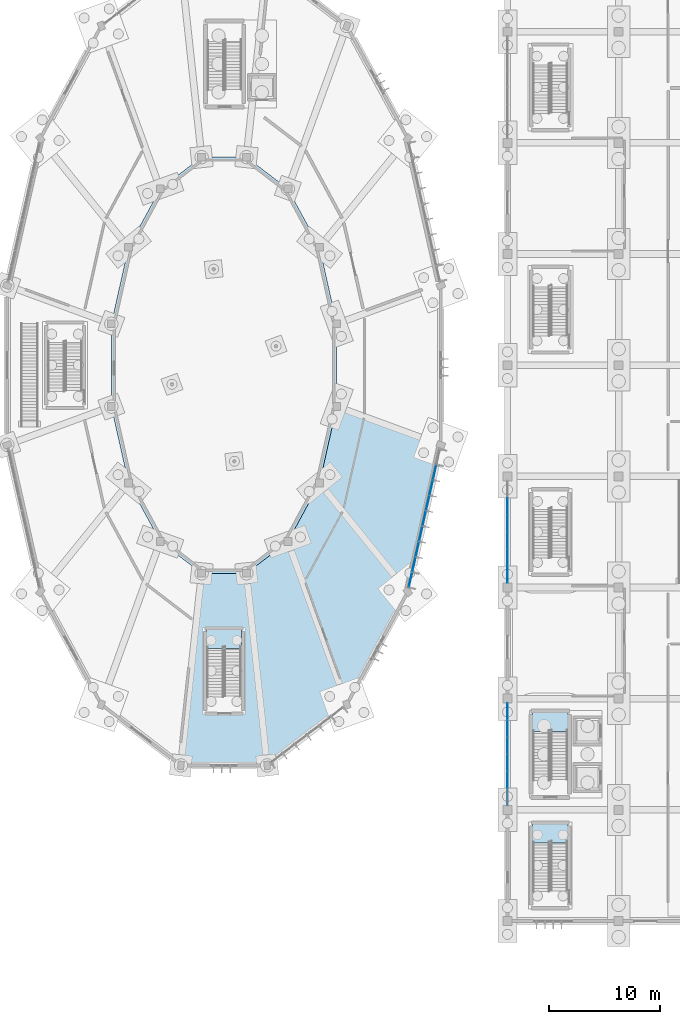
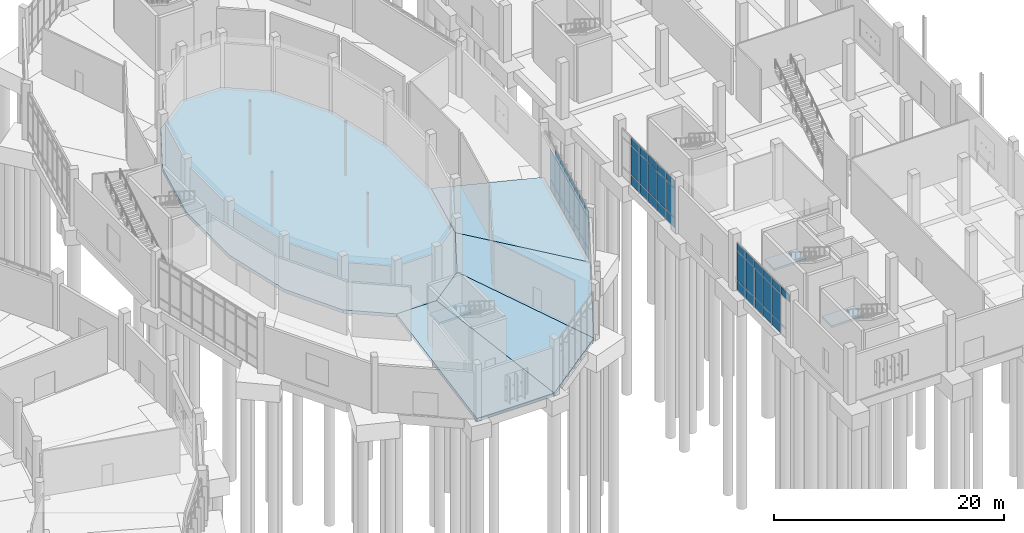
# One storey, part 65 of 140: 54 plates, 8 slabs, 6 elements without a shape of their own.
"""IFC4 building model written with IfcOpenShell, lengths in metres."""

from ifc_helpers import new_model, si_unit, direction, frame, origin, origin_2d, place, context, subcontext, project, spatial, polyline, rectangle, outline, extrude, material, layer, layer_set, type_object, element, aggregate, save


model = new_model("IFC4")

# Units and contexts
model_context = context("Model", 3, precision=1e-05, world=origin(), true_north=direction((0.0, 1.0)))
body_context = subcontext(model_context, "Body", "Model", "MODEL_VIEW")
ifc_project = project(units=[si_unit("LENGTHUNIT", "METRE"), si_unit("AREAUNIT", "SQUARE_METRE"), si_unit("VOLUMEUNIT", "CUBIC_METRE"), si_unit("PLANEANGLEUNIT", "RADIAN"), si_unit("MASSUNIT", "GRAM", prefix="KILO")], contexts=[model_context])

# Site, building, storey
site_placement = place(None, origin())
site = spatial("IfcSite", under=ifc_project, at=site_placement, CompositionType="ELEMENT")
building_placement = place(site_placement, origin())
building = spatial("IfcBuilding", under=site, at=building_placement, Name="Corvandel Quay Wholesale Market", CompositionType="ELEMENT")
storey_placement = place(building_placement, origin())
storey = spatial("IfcBuildingStorey", under=building, at=storey_placement, Name="L00", CompositionType="ELEMENT", Elevation=0.0)

# Curtain wall, plates
ifc_material_1 = material(Name="Bronze anodised aluminium and low-E insulated glazing", Category="aluminium")
ifc_layer_1 = layer(ifc_material_1, 0.162109375)
ifc_layer_set_1 = layer_set([ifc_layer_1], Name="Bronze anodised aluminium and low-E insulated glazing")
curtain_wall_type_1 = type_object("IfcCurtainWallType", Name="Stick Curtain Wall System CW16 H4440", PredefinedType="NOTDEFINED", material=ifc_layer_set_1)
curtain_wall_1_placement = place(storey_placement, origin())
curtain_wall_1 = element("IfcCurtainWall", 1, at=curtain_wall_1_placement, inside=storey, type_object=curtain_wall_type_1, Name="Curtain Wall CW-0141", PredefinedType="NOTDEFINED")
ifc_material_2 = material(Name="Solar-control low-E insulated glazing", Category="glass")
ifc_layer_2 = layer(ifc_material_2, 0.0400390625)
ifc_layer_set_2 = layer_set([ifc_layer_2], Name="Solar-control low-E insulated glazing")
plate_type_1 = type_object("IfcPlateType", Name="Ceramic Fritted Spandrel Panel PN03 40mm", PredefinedType="CURTAIN_PANEL", material=ifc_layer_set_2)
plate_1_placement = place(storey_placement, frame((211.273681640625, 40.68994140625, 4.33251953125), z_axis=(0.0, 0.0, 1.0), x_axis=(0.218994806262, 0.975726024471, 0.0)))
plate_1 = element("IfcPlate", 2, at=plate_1_placement, type_object=plate_type_1, Name="Glazing Panel CW-0141-P00-2", PredefinedType="CURTAIN_PANEL", context=body_context, shape_type="SweptSolid", body=[
    extrude(rectangle(XDim=1.352783203125, YDim=0.0400390625, at=origin_2d()), origin(), (0.0, 0.0, 1.0), 0.784912109375),
])
plate_2_placement = place(storey_placement, frame((211.584228515625, 42.073486328125, 4.33251953125), z_axis=(0.0, 0.0, 1.0), x_axis=(0.218994806262, 0.975726024471, 0.0)))
plate_2 = element("IfcPlate", 3, at=plate_2_placement, type_object=plate_type_1, Name="Glazing Panel CW-0141-P01-2", PredefinedType="CURTAIN_PANEL", context=body_context, shape_type="SweptSolid", body=[
    extrude(rectangle(XDim=1.352783203125, YDim=0.0400390625, at=origin_2d()), origin(), (0.0, 0.0, 1.0), 0.784912109375),
])
plate_3_placement = place(storey_placement, frame((211.894775390625, 43.456787109375, 4.33251953125), z_axis=(0.0, 0.0, 1.0), x_axis=(0.218994806262, 0.975726024471, 0.0)))
plate_3 = element("IfcPlate", 4, at=plate_3_placement, type_object=plate_type_1, Name="Glazing Panel CW-0141-P02-2", PredefinedType="CURTAIN_PANEL", context=body_context, shape_type="SweptSolid", body=[
    extrude(rectangle(XDim=1.352783203125, YDim=0.0400390625, at=origin_2d()), origin(), (0.0, 0.0, 1.0), 0.784912109375),
])
plate_4_placement = place(storey_placement, frame((212.205078125, 44.840087890625, 4.33251953125), z_axis=(0.0, 0.0, 1.0), x_axis=(0.218994806262, 0.975726024471, 0.0)))
plate_4 = element("IfcPlate", 5, at=plate_4_placement, type_object=plate_type_1, Name="Glazing Panel CW-0141-P03-2", PredefinedType="CURTAIN_PANEL", context=body_context, shape_type="SweptSolid", body=[
    extrude(rectangle(XDim=1.352783203125, YDim=0.0400390625, at=origin_2d()), origin(), (0.0, 0.0, 1.0), 0.784912109375),
])
plate_5_placement = place(storey_placement, frame((212.515380859375, 46.223388671875, 4.33251953125), z_axis=(0.0, 0.0, 1.0), x_axis=(0.218994806262, 0.975726024471, 0.0)))
plate_5 = element("IfcPlate", 6, at=plate_5_placement, type_object=plate_type_1, Name="Glazing Panel CW-0141-P04-2", PredefinedType="CURTAIN_PANEL", context=body_context, shape_type="SweptSolid", body=[
    extrude(rectangle(XDim=1.352783203125, YDim=0.0400390625, at=origin_2d()), origin(), (0.0, 0.0, 1.0), 0.784912109375),
])
plate_6_placement = place(storey_placement, frame((212.825927734375, 47.60693359375, 4.33251953125), z_axis=(0.0, 0.0, 1.0), x_axis=(0.218994806262, 0.975726024471, 0.0)))
plate_6 = element("IfcPlate", 7, at=plate_6_placement, type_object=plate_type_1, Name="Glazing Panel CW-0141-P05-2", PredefinedType="CURTAIN_PANEL", context=body_context, shape_type="SweptSolid", body=[
    extrude(rectangle(XDim=1.352783203125, YDim=0.0400390625, at=origin_2d()), origin(), (0.0, 0.0, 1.0), 0.784912109375),
])
plate_7_placement = place(storey_placement, frame((213.13623046875, 48.990234375, 4.33251953125), z_axis=(0.0, 0.0, 1.0), x_axis=(0.218994806262, 0.975726024471, 0.0)))
plate_7 = element("IfcPlate", 8, at=plate_7_placement, type_object=plate_type_1, Name="Glazing Panel CW-0141-P06-2", PredefinedType="CURTAIN_PANEL", context=body_context, shape_type="SweptSolid", body=[
    extrude(rectangle(XDim=1.352783203125, YDim=0.0400390625, at=origin_2d()), origin(), (0.0, 0.0, 1.0), 0.784912109375),
])

ifc_layer_3 = layer(ifc_material_1, 0.14990234375)
ifc_layer_set_3 = layer_set([ifc_layer_3], Name="Bronze anodised aluminium and low-E insulated glazing")
curtain_wall_type_2 = type_object("IfcCurtainWallType", Name="Stick Curtain Wall System CW20 H4800", PredefinedType="NOTDEFINED", material=ifc_layer_set_3)
curtain_wall_2_placement = place(storey_placement, origin())
curtain_wall_2 = element("IfcCurtainWall", 9, at=curtain_wall_2_placement, inside=storey, type_object=curtain_wall_type_2, Name="Curtain Wall CW-0142", PredefinedType="NOTDEFINED")
plate_8_placement = place(storey_placement, frame((220.0, 21.166748046875, 4.22998046875), z_axis=(0.0, 0.0, 1.0), x_axis=(0.0, 1.0, 0.0)))
plate_8 = element("IfcPlate", 10, at=plate_8_placement, type_object=plate_type_1, Name="Glazing Panel CW-0142-P00-2", PredefinedType="CURTAIN_PANEL", context=body_context, shape_type="SweptSolid", body=[
    extrude(rectangle(XDim=1.46826171875, YDim=0.0400390625, at=origin_2d()), origin(), (0.0, 0.0, 1.0), 0.7900390625),
])
plate_9_placement = place(storey_placement, frame((220.0, 22.699951171875, 4.22998046875), z_axis=(0.0, 0.0, 1.0), x_axis=(0.0, 1.0, 0.0)))
plate_9 = element("IfcPlate", 11, at=plate_9_placement, type_object=plate_type_1, Name="Glazing Panel CW-0142-P01-2", PredefinedType="CURTAIN_PANEL", context=body_context, shape_type="SweptSolid", body=[
    extrude(rectangle(XDim=1.46826171875, YDim=0.0400390625, at=origin_2d()), origin(), (0.0, 0.0, 1.0), 0.7900390625),
])
plate_10_placement = place(storey_placement, frame((220.0, 24.2333984375, 4.22998046875), z_axis=(0.0, 0.0, 1.0), x_axis=(0.0, 1.0, 0.0)))
plate_10 = element("IfcPlate", 12, at=plate_10_placement, type_object=plate_type_1, Name="Glazing Panel CW-0142-P02-2", PredefinedType="CURTAIN_PANEL", context=body_context, shape_type="SweptSolid", body=[
    extrude(rectangle(XDim=1.46826171875, YDim=0.0400390625, at=origin_2d()), origin(), (0.0, 0.0, 1.0), 0.7900390625),
])
plate_11_placement = place(storey_placement, frame((220.0, 25.7666015625, 4.22998046875), z_axis=(0.0, 0.0, 1.0), x_axis=(0.0, 1.0, 0.0)))
plate_11 = element("IfcPlate", 13, at=plate_11_placement, type_object=plate_type_1, Name="Glazing Panel CW-0142-P03-2", PredefinedType="CURTAIN_PANEL", context=body_context, shape_type="SweptSolid", body=[
    extrude(rectangle(XDim=1.46826171875, YDim=0.0400390625, at=origin_2d()), origin(), (0.0, 0.0, 1.0), 0.7900390625),
])
plate_12_placement = place(storey_placement, frame((220.0, 27.300048828125, 4.22998046875), z_axis=(0.0, 0.0, 1.0), x_axis=(0.0, 1.0, 0.0)))
plate_12 = element("IfcPlate", 14, at=plate_12_placement, type_object=plate_type_1, Name="Glazing Panel CW-0142-P04-2", PredefinedType="CURTAIN_PANEL", context=body_context, shape_type="SweptSolid", body=[
    extrude(rectangle(XDim=1.46826171875, YDim=0.0400390625, at=origin_2d()), origin(), (0.0, 0.0, 1.0), 0.7900390625),
])
plate_13_placement = place(storey_placement, frame((220.0, 28.833251953125, 4.22998046875), z_axis=(0.0, 0.0, 1.0), x_axis=(0.0, 1.0, 0.0)))
plate_13 = element("IfcPlate", 15, at=plate_13_placement, type_object=plate_type_1, Name="Glazing Panel CW-0142-P05-2", PredefinedType="CURTAIN_PANEL", context=body_context, shape_type="SweptSolid", body=[
    extrude(rectangle(XDim=1.46826171875, YDim=0.0400390625, at=origin_2d()), origin(), (0.0, 0.0, 1.0), 0.7900390625),
])

ifc_layer_4 = layer(ifc_material_1, 0.174072265625)
ifc_layer_set_4 = layer_set([ifc_layer_4], Name="Bronze anodised aluminium and low-E insulated glazing")
curtain_wall_type_3 = type_object("IfcCurtainWallType", Name="Stick Curtain Wall System CW22 H4980", PredefinedType="NOTDEFINED", material=ifc_layer_set_4)
curtain_wall_3_placement = place(storey_placement, origin())
curtain_wall_3 = element("IfcCurtainWall", 16, at=curtain_wall_3_placement, inside=storey, type_object=curtain_wall_type_3, Name="Curtain Wall CW-0143", PredefinedType="NOTDEFINED")
plate_14_placement = place(storey_placement, frame((220.0, 41.166748046875, 4.22998046875), z_axis=(0.0, 0.0, 1.0), x_axis=(0.0, 1.0, 0.0)))
plate_14 = element("IfcPlate", 17, at=plate_14_placement, type_object=plate_type_1, Name="Glazing Panel CW-0143-P00-2", PredefinedType="CURTAIN_PANEL", context=body_context, shape_type="SweptSolid", body=[
    extrude(rectangle(XDim=1.46826171875, YDim=0.0400390625, at=origin_2d()), origin(), (0.0, 0.0, 1.0), 0.7900390625),
])
plate_15_placement = place(storey_placement, frame((220.0, 42.699951171875, 4.22998046875), z_axis=(0.0, 0.0, 1.0), x_axis=(0.0, 1.0, 0.0)))
plate_15 = element("IfcPlate", 18, at=plate_15_placement, type_object=plate_type_1, Name="Glazing Panel CW-0143-P01-2", PredefinedType="CURTAIN_PANEL", context=body_context, shape_type="SweptSolid", body=[
    extrude(rectangle(XDim=1.46826171875, YDim=0.0400390625, at=origin_2d()), origin(), (0.0, 0.0, 1.0), 0.7900390625),
])
plate_16_placement = place(storey_placement, frame((220.0, 44.2333984375, 4.22998046875), z_axis=(0.0, 0.0, 1.0), x_axis=(0.0, 1.0, 0.0)))
plate_16 = element("IfcPlate", 19, at=plate_16_placement, type_object=plate_type_1, Name="Glazing Panel CW-0143-P02-2", PredefinedType="CURTAIN_PANEL", context=body_context, shape_type="SweptSolid", body=[
    extrude(rectangle(XDim=1.46826171875, YDim=0.0400390625, at=origin_2d()), origin(), (0.0, 0.0, 1.0), 0.7900390625),
])
plate_17_placement = place(storey_placement, frame((220.0, 45.7666015625, 4.22998046875), z_axis=(0.0, 0.0, 1.0), x_axis=(0.0, 1.0, 0.0)))
plate_17 = element("IfcPlate", 20, at=plate_17_placement, type_object=plate_type_1, Name="Glazing Panel CW-0143-P03-2", PredefinedType="CURTAIN_PANEL", context=body_context, shape_type="SweptSolid", body=[
    extrude(rectangle(XDim=1.46826171875, YDim=0.0400390625, at=origin_2d()), origin(), (0.0, 0.0, 1.0), 0.7900390625),
])
plate_18_placement = place(storey_placement, frame((220.0, 47.300048828125, 4.22998046875), z_axis=(0.0, 0.0, 1.0), x_axis=(0.0, 1.0, 0.0)))
plate_18 = element("IfcPlate", 21, at=plate_18_placement, type_object=plate_type_1, Name="Glazing Panel CW-0143-P04-2", PredefinedType="CURTAIN_PANEL", context=body_context, shape_type="SweptSolid", body=[
    extrude(rectangle(XDim=1.46826171875, YDim=0.0400390625, at=origin_2d()), origin(), (0.0, 0.0, 1.0), 0.7900390625),
])

# Plate
ifc_layer_5 = layer(ifc_material_2, 0.028076171875)
ifc_layer_set_5 = layer_set([ifc_layer_5], Name="Solar-control low-E insulated glazing")
plate_type_2 = type_object("IfcPlateType", Name="Double Low-E Vision Panel PN01 28mm", PredefinedType="CURTAIN_PANEL", material=ifc_layer_set_5)
plate_19_placement = place(storey_placement, frame((211.273681640625, 40.68994140625, 0.0322265625), z_axis=(0.0, 0.0, 1.0), x_axis=(0.218994806262, 0.975726024471, 0.0)))
plate_19 = element("IfcPlate", 22, at=plate_19_placement, type_object=plate_type_2, Name="Glazing Panel CW-0141-P00-0", PredefinedType="CURTAIN_PANEL", context=body_context, shape_type="SweptSolid", body=[
    extrude(rectangle(XDim=1.352783203125, YDim=0.028076171875, at=origin_2d()), origin(), (0.0, 0.0, 1.0), 0.985107421875),
])

plate_20_placement = place(storey_placement, frame((211.273681640625, 40.68994140625, 1.08251953125), z_axis=(0.0, 0.0, 1.0), x_axis=(0.218994806262, 0.975726024471, 0.0)))
plate_20 = element("IfcPlate", 23, at=plate_20_placement, type_object=plate_type_2, Name="Glazing Panel CW-0141-P00-1", PredefinedType="CURTAIN_PANEL", context=body_context, shape_type="SweptSolid", body=[
    extrude(rectangle(XDim=1.352783203125, YDim=0.028076171875, at=origin_2d()), origin(), (0.0, 0.0, 1.0), 3.18505859375),
])

plate_21_placement = place(storey_placement, frame((211.584228515625, 42.073486328125, 0.0322265625), z_axis=(0.0, 0.0, 1.0), x_axis=(0.218994806262, 0.975726024471, 0.0)))
plate_21 = element("IfcPlate", 24, at=plate_21_placement, type_object=plate_type_2, Name="Glazing Panel CW-0141-P01-0", PredefinedType="CURTAIN_PANEL", context=body_context, shape_type="SweptSolid", body=[
    extrude(rectangle(XDim=1.352783203125, YDim=0.028076171875, at=origin_2d()), origin(), (0.0, 0.0, 1.0), 0.985107421875),
])

plate_22_placement = place(storey_placement, frame((211.584228515625, 42.073486328125, 1.08251953125), z_axis=(0.0, 0.0, 1.0), x_axis=(0.218994806262, 0.975726024471, 0.0)))
plate_22 = element("IfcPlate", 25, at=plate_22_placement, type_object=plate_type_2, Name="Glazing Panel CW-0141-P01-1", PredefinedType="CURTAIN_PANEL", context=body_context, shape_type="SweptSolid", body=[
    extrude(rectangle(XDim=1.352783203125, YDim=0.028076171875, at=origin_2d()), origin(), (0.0, 0.0, 1.0), 3.18505859375),
])

plate_23_placement = place(storey_placement, frame((211.894775390625, 43.456787109375, 0.0322265625), z_axis=(0.0, 0.0, 1.0), x_axis=(0.218994806262, 0.975726024471, 0.0)))
plate_23 = element("IfcPlate", 26, at=plate_23_placement, type_object=plate_type_2, Name="Glazing Panel CW-0141-P02-0", PredefinedType="CURTAIN_PANEL", context=body_context, shape_type="SweptSolid", body=[
    extrude(rectangle(XDim=1.352783203125, YDim=0.028076171875, at=origin_2d()), origin(), (0.0, 0.0, 1.0), 0.985107421875),
])

plate_24_placement = place(storey_placement, frame((211.894775390625, 43.456787109375, 1.08251953125), z_axis=(0.0, 0.0, 1.0), x_axis=(0.218994806262, 0.975726024471, 0.0)))
plate_24 = element("IfcPlate", 27, at=plate_24_placement, type_object=plate_type_2, Name="Glazing Panel CW-0141-P02-1", PredefinedType="CURTAIN_PANEL", context=body_context, shape_type="SweptSolid", body=[
    extrude(rectangle(XDim=1.352783203125, YDim=0.028076171875, at=origin_2d()), origin(), (0.0, 0.0, 1.0), 3.18505859375),
])

plate_25_placement = place(storey_placement, frame((212.205078125, 44.840087890625, 0.0322265625), z_axis=(0.0, 0.0, 1.0), x_axis=(0.218994806262, 0.975726024471, 0.0)))
plate_25 = element("IfcPlate", 28, at=plate_25_placement, type_object=plate_type_2, Name="Glazing Panel CW-0141-P03-0", PredefinedType="CURTAIN_PANEL", context=body_context, shape_type="SweptSolid", body=[
    extrude(rectangle(XDim=1.352783203125, YDim=0.028076171875, at=origin_2d()), origin(), (0.0, 0.0, 1.0), 0.985107421875),
])

plate_26_placement = place(storey_placement, frame((212.205078125, 44.840087890625, 1.08251953125), z_axis=(0.0, 0.0, 1.0), x_axis=(0.218994806262, 0.975726024471, 0.0)))
plate_26 = element("IfcPlate", 29, at=plate_26_placement, type_object=plate_type_2, Name="Glazing Panel CW-0141-P03-1", PredefinedType="CURTAIN_PANEL", context=body_context, shape_type="SweptSolid", body=[
    extrude(rectangle(XDim=1.352783203125, YDim=0.028076171875, at=origin_2d()), origin(), (0.0, 0.0, 1.0), 3.18505859375),
])

plate_27_placement = place(storey_placement, frame((212.515380859375, 46.223388671875, 0.0322265625), z_axis=(0.0, 0.0, 1.0), x_axis=(0.218994806262, 0.975726024471, 0.0)))
plate_27 = element("IfcPlate", 30, at=plate_27_placement, type_object=plate_type_2, Name="Glazing Panel CW-0141-P04-0", PredefinedType="CURTAIN_PANEL", context=body_context, shape_type="SweptSolid", body=[
    extrude(rectangle(XDim=1.352783203125, YDim=0.028076171875, at=origin_2d()), origin(), (0.0, 0.0, 1.0), 0.985107421875),
])

plate_28_placement = place(storey_placement, frame((212.515380859375, 46.223388671875, 1.08251953125), z_axis=(0.0, 0.0, 1.0), x_axis=(0.218994806262, 0.975726024471, 0.0)))
plate_28 = element("IfcPlate", 31, at=plate_28_placement, type_object=plate_type_2, Name="Glazing Panel CW-0141-P04-1", PredefinedType="CURTAIN_PANEL", context=body_context, shape_type="SweptSolid", body=[
    extrude(rectangle(XDim=1.352783203125, YDim=0.028076171875, at=origin_2d()), origin(), (0.0, 0.0, 1.0), 3.18505859375),
])

plate_29_placement = place(storey_placement, frame((212.825927734375, 47.60693359375, 0.0322265625), z_axis=(0.0, 0.0, 1.0), x_axis=(0.218994806262, 0.975726024471, 0.0)))
plate_29 = element("IfcPlate", 32, at=plate_29_placement, type_object=plate_type_2, Name="Glazing Panel CW-0141-P05-0", PredefinedType="CURTAIN_PANEL", context=body_context, shape_type="SweptSolid", body=[
    extrude(rectangle(XDim=1.352783203125, YDim=0.028076171875, at=origin_2d()), origin(), (0.0, 0.0, 1.0), 0.985107421875),
])

plate_30_placement = place(storey_placement, frame((212.825927734375, 47.60693359375, 1.08251953125), z_axis=(0.0, 0.0, 1.0), x_axis=(0.218994806262, 0.975726024471, 0.0)))
plate_30 = element("IfcPlate", 33, at=plate_30_placement, type_object=plate_type_2, Name="Glazing Panel CW-0141-P05-1", PredefinedType="CURTAIN_PANEL", context=body_context, shape_type="SweptSolid", body=[
    extrude(rectangle(XDim=1.352783203125, YDim=0.028076171875, at=origin_2d()), origin(), (0.0, 0.0, 1.0), 3.18505859375),
])

plate_31_placement = place(storey_placement, frame((213.13623046875, 48.990234375, 0.0322265625), z_axis=(0.0, 0.0, 1.0), x_axis=(0.218994806262, 0.975726024471, 0.0)))
plate_31 = element("IfcPlate", 34, at=plate_31_placement, type_object=plate_type_2, Name="Glazing Panel CW-0141-P06-0", PredefinedType="CURTAIN_PANEL", context=body_context, shape_type="SweptSolid", body=[
    extrude(rectangle(XDim=1.352783203125, YDim=0.028076171875, at=origin_2d()), origin(), (0.0, 0.0, 1.0), 0.985107421875),
])

plate_32_placement = place(storey_placement, frame((213.13623046875, 48.990234375, 1.08251953125), z_axis=(0.0, 0.0, 1.0), x_axis=(0.218994806262, 0.975726024471, 0.0)))
plate_32 = element("IfcPlate", 35, at=plate_32_placement, type_object=plate_type_2, Name="Glazing Panel CW-0141-P06-1", PredefinedType="CURTAIN_PANEL", context=body_context, shape_type="SweptSolid", body=[
    extrude(rectangle(XDim=1.352783203125, YDim=0.028076171875, at=origin_2d()), origin(), (0.0, 0.0, 1.0), 3.18505859375),
])

plate_33_placement = place(storey_placement, frame((213.44677734375, 50.37353515625, 0.0322265625), z_axis=(0.0, 0.0, 1.0), x_axis=(0.218994806262, 0.975726024471, 0.0)))
plate_33 = element("IfcPlate", 36, at=plate_33_placement, type_object=plate_type_2, Name="Glazing Panel CW-0141-P07-0", PredefinedType="CURTAIN_PANEL", context=body_context, shape_type="SweptSolid", body=[
    extrude(rectangle(XDim=1.352783203125, YDim=0.028076171875, at=origin_2d()), origin(), (0.0, 0.0, 1.0), 0.985107421875),
])

plate_34_placement = place(storey_placement, frame((213.44677734375, 50.37353515625, 1.08251953125), z_axis=(0.0, 0.0, 1.0), x_axis=(0.218994806262, 0.975726024471, 0.0)))
plate_34 = element("IfcPlate", 37, at=plate_34_placement, type_object=plate_type_2, Name="Glazing Panel CW-0141-P07-1", PredefinedType="CURTAIN_PANEL", context=body_context, shape_type="SweptSolid", body=[
    extrude(rectangle(XDim=1.352783203125, YDim=0.028076171875, at=origin_2d()), origin(), (0.0, 0.0, 1.0), 3.18505859375),
])

aggregate(curtain_wall_1, [plate_19, plate_20, plate_1, plate_21, plate_22, plate_2, plate_23, plate_24, plate_3, plate_25, plate_26, plate_4, plate_27, plate_28, plate_5, plate_29, plate_30, plate_6, plate_31, plate_32, plate_7, plate_33, plate_34])

plate_35_placement = place(storey_placement, frame((220.0, 22.699951171875, 0.02978515625), z_axis=(0.0, 0.0, 1.0), x_axis=(0.0, 1.0, 0.0)))
plate_35 = element("IfcPlate", 38, at=plate_35_placement, type_object=plate_type_2, Name="Glazing Panel CW-0142-P01-0", PredefinedType="CURTAIN_PANEL", context=body_context, shape_type="SweptSolid", body=[
    extrude(rectangle(XDim=1.46826171875, YDim=0.028076171875, at=origin_2d()), origin(), (0.0, 0.0, 1.0), 0.989990234375),
])

plate_36_placement = place(storey_placement, frame((220.0, 22.699951171875, 1.080078125), z_axis=(0.0, 0.0, 1.0), x_axis=(0.0, 1.0, 0.0)))
plate_36 = element("IfcPlate", 39, at=plate_36_placement, type_object=plate_type_2, Name="Glazing Panel CW-0142-P01-1", PredefinedType="CURTAIN_PANEL", context=body_context, shape_type="SweptSolid", body=[
    extrude(rectangle(XDim=1.46826171875, YDim=0.028076171875, at=origin_2d()), origin(), (0.0, 0.0, 1.0), 3.090087890625),
])

plate_37_placement = place(storey_placement, frame((220.0, 24.2333984375, 0.02978515625), z_axis=(0.0, 0.0, 1.0), x_axis=(0.0, 1.0, 0.0)))
plate_37 = element("IfcPlate", 40, at=plate_37_placement, type_object=plate_type_2, Name="Glazing Panel CW-0142-P02-0", PredefinedType="CURTAIN_PANEL", context=body_context, shape_type="SweptSolid", body=[
    extrude(rectangle(XDim=1.46826171875, YDim=0.028076171875, at=origin_2d()), origin(), (0.0, 0.0, 1.0), 0.989990234375),
])

plate_38_placement = place(storey_placement, frame((220.0, 24.2333984375, 1.080078125), z_axis=(0.0, 0.0, 1.0), x_axis=(0.0, 1.0, 0.0)))
plate_38 = element("IfcPlate", 41, at=plate_38_placement, type_object=plate_type_2, Name="Glazing Panel CW-0142-P02-1", PredefinedType="CURTAIN_PANEL", context=body_context, shape_type="SweptSolid", body=[
    extrude(rectangle(XDim=1.46826171875, YDim=0.028076171875, at=origin_2d()), origin(), (0.0, 0.0, 1.0), 3.090087890625),
])

plate_39_placement = place(storey_placement, frame((220.0, 25.7666015625, 0.02978515625), z_axis=(0.0, 0.0, 1.0), x_axis=(0.0, 1.0, 0.0)))
plate_39 = element("IfcPlate", 42, at=plate_39_placement, type_object=plate_type_2, Name="Glazing Panel CW-0142-P03-0", PredefinedType="CURTAIN_PANEL", context=body_context, shape_type="SweptSolid", body=[
    extrude(rectangle(XDim=1.46826171875, YDim=0.028076171875, at=origin_2d()), origin(), (0.0, 0.0, 1.0), 0.989990234375),
])

plate_40_placement = place(storey_placement, frame((220.0, 25.7666015625, 1.080078125), z_axis=(0.0, 0.0, 1.0), x_axis=(0.0, 1.0, 0.0)))
plate_40 = element("IfcPlate", 43, at=plate_40_placement, type_object=plate_type_2, Name="Glazing Panel CW-0142-P03-1", PredefinedType="CURTAIN_PANEL", context=body_context, shape_type="SweptSolid", body=[
    extrude(rectangle(XDim=1.46826171875, YDim=0.028076171875, at=origin_2d()), origin(), (0.0, 0.0, 1.0), 3.090087890625),
])

plate_41_placement = place(storey_placement, frame((220.0, 27.300048828125, 0.02978515625), z_axis=(0.0, 0.0, 1.0), x_axis=(0.0, 1.0, 0.0)))
plate_41 = element("IfcPlate", 44, at=plate_41_placement, type_object=plate_type_2, Name="Glazing Panel CW-0142-P04-0", PredefinedType="CURTAIN_PANEL", context=body_context, shape_type="SweptSolid", body=[
    extrude(rectangle(XDim=1.46826171875, YDim=0.028076171875, at=origin_2d()), origin(), (0.0, 0.0, 1.0), 0.989990234375),
])

plate_42_placement = place(storey_placement, frame((220.0, 27.300048828125, 1.080078125), z_axis=(0.0, 0.0, 1.0), x_axis=(0.0, 1.0, 0.0)))
plate_42 = element("IfcPlate", 45, at=plate_42_placement, type_object=plate_type_2, Name="Glazing Panel CW-0142-P04-1", PredefinedType="CURTAIN_PANEL", context=body_context, shape_type="SweptSolid", body=[
    extrude(rectangle(XDim=1.46826171875, YDim=0.028076171875, at=origin_2d()), origin(), (0.0, 0.0, 1.0), 3.090087890625),
])

plate_43_placement = place(storey_placement, frame((220.0, 28.833251953125, 0.02978515625), z_axis=(0.0, 0.0, 1.0), x_axis=(0.0, 1.0, 0.0)))
plate_43 = element("IfcPlate", 46, at=plate_43_placement, type_object=plate_type_2, Name="Glazing Panel CW-0142-P05-0", PredefinedType="CURTAIN_PANEL", context=body_context, shape_type="SweptSolid", body=[
    extrude(rectangle(XDim=1.46826171875, YDim=0.028076171875, at=origin_2d()), origin(), (0.0, 0.0, 1.0), 0.989990234375),
])

plate_44_placement = place(storey_placement, frame((220.0, 28.833251953125, 1.080078125), z_axis=(0.0, 0.0, 1.0), x_axis=(0.0, 1.0, 0.0)))
plate_44 = element("IfcPlate", 47, at=plate_44_placement, type_object=plate_type_2, Name="Glazing Panel CW-0142-P05-1", PredefinedType="CURTAIN_PANEL", context=body_context, shape_type="SweptSolid", body=[
    extrude(rectangle(XDim=1.46826171875, YDim=0.028076171875, at=origin_2d()), origin(), (0.0, 0.0, 1.0), 3.090087890625),
])

aggregate(curtain_wall_2, [plate_8, plate_35, plate_36, plate_9, plate_37, plate_38, plate_10, plate_39, plate_40, plate_11, plate_41, plate_42, plate_12, plate_43, plate_44, plate_13])

plate_45_placement = place(storey_placement, frame((220.0, 41.166748046875, 0.02978515625), z_axis=(0.0, 0.0, 1.0), x_axis=(0.0, 1.0, 0.0)))
plate_45 = element("IfcPlate", 48, at=plate_45_placement, type_object=plate_type_2, Name="Glazing Panel CW-0143-P00-0", PredefinedType="CURTAIN_PANEL", context=body_context, shape_type="SweptSolid", body=[
    extrude(rectangle(XDim=1.46826171875, YDim=0.028076171875, at=origin_2d()), origin(), (0.0, 0.0, 1.0), 0.989990234375),
])

plate_46_placement = place(storey_placement, frame((220.0, 41.166748046875, 1.080078125), z_axis=(0.0, 0.0, 1.0), x_axis=(0.0, 1.0, 0.0)))
plate_46 = element("IfcPlate", 49, at=plate_46_placement, type_object=plate_type_2, Name="Glazing Panel CW-0143-P00-1", PredefinedType="CURTAIN_PANEL", context=body_context, shape_type="SweptSolid", body=[
    extrude(rectangle(XDim=1.46826171875, YDim=0.028076171875, at=origin_2d()), origin(), (0.0, 0.0, 1.0), 3.090087890625),
])

plate_47_placement = place(storey_placement, frame((220.0, 42.699951171875, 0.02978515625), z_axis=(0.0, 0.0, 1.0), x_axis=(0.0, 1.0, 0.0)))
plate_47 = element("IfcPlate", 50, at=plate_47_placement, type_object=plate_type_2, Name="Glazing Panel CW-0143-P01-0", PredefinedType="CURTAIN_PANEL", context=body_context, shape_type="SweptSolid", body=[
    extrude(rectangle(XDim=1.46826171875, YDim=0.028076171875, at=origin_2d()), origin(), (0.0, 0.0, 1.0), 0.989990234375),
])

plate_48_placement = place(storey_placement, frame((220.0, 42.699951171875, 1.080078125), z_axis=(0.0, 0.0, 1.0), x_axis=(0.0, 1.0, 0.0)))
plate_48 = element("IfcPlate", 51, at=plate_48_placement, type_object=plate_type_2, Name="Glazing Panel CW-0143-P01-1", PredefinedType="CURTAIN_PANEL", context=body_context, shape_type="SweptSolid", body=[
    extrude(rectangle(XDim=1.46826171875, YDim=0.028076171875, at=origin_2d()), origin(), (0.0, 0.0, 1.0), 3.090087890625),
])

plate_49_placement = place(storey_placement, frame((220.0, 44.2333984375, 0.02978515625), z_axis=(0.0, 0.0, 1.0), x_axis=(0.0, 1.0, 0.0)))
plate_49 = element("IfcPlate", 52, at=plate_49_placement, type_object=plate_type_2, Name="Glazing Panel CW-0143-P02-0", PredefinedType="CURTAIN_PANEL", context=body_context, shape_type="SweptSolid", body=[
    extrude(rectangle(XDim=1.46826171875, YDim=0.028076171875, at=origin_2d()), origin(), (0.0, 0.0, 1.0), 0.989990234375),
])

plate_50_placement = place(storey_placement, frame((220.0, 44.2333984375, 1.080078125), z_axis=(0.0, 0.0, 1.0), x_axis=(0.0, 1.0, 0.0)))
plate_50 = element("IfcPlate", 53, at=plate_50_placement, type_object=plate_type_2, Name="Glazing Panel CW-0143-P02-1", PredefinedType="CURTAIN_PANEL", context=body_context, shape_type="SweptSolid", body=[
    extrude(rectangle(XDim=1.46826171875, YDim=0.028076171875, at=origin_2d()), origin(), (0.0, 0.0, 1.0), 3.090087890625),
])

plate_51_placement = place(storey_placement, frame((220.0, 45.7666015625, 0.02978515625), z_axis=(0.0, 0.0, 1.0), x_axis=(0.0, 1.0, 0.0)))
plate_51 = element("IfcPlate", 54, at=plate_51_placement, type_object=plate_type_2, Name="Glazing Panel CW-0143-P03-0", PredefinedType="CURTAIN_PANEL", context=body_context, shape_type="SweptSolid", body=[
    extrude(rectangle(XDim=1.46826171875, YDim=0.028076171875, at=origin_2d()), origin(), (0.0, 0.0, 1.0), 0.989990234375),
])

plate_52_placement = place(storey_placement, frame((220.0, 45.7666015625, 1.080078125), z_axis=(0.0, 0.0, 1.0), x_axis=(0.0, 1.0, 0.0)))
plate_52 = element("IfcPlate", 55, at=plate_52_placement, type_object=plate_type_2, Name="Glazing Panel CW-0143-P03-1", PredefinedType="CURTAIN_PANEL", context=body_context, shape_type="SweptSolid", body=[
    extrude(rectangle(XDim=1.46826171875, YDim=0.028076171875, at=origin_2d()), origin(), (0.0, 0.0, 1.0), 3.090087890625),
])

plate_53_placement = place(storey_placement, frame((220.0, 47.300048828125, 0.02978515625), z_axis=(0.0, 0.0, 1.0), x_axis=(0.0, 1.0, 0.0)))
plate_53 = element("IfcPlate", 56, at=plate_53_placement, type_object=plate_type_2, Name="Glazing Panel CW-0143-P04-0", PredefinedType="CURTAIN_PANEL", context=body_context, shape_type="SweptSolid", body=[
    extrude(rectangle(XDim=1.46826171875, YDim=0.028076171875, at=origin_2d()), origin(), (0.0, 0.0, 1.0), 0.989990234375),
])

plate_54_placement = place(storey_placement, frame((220.0, 47.300048828125, 1.080078125), z_axis=(0.0, 0.0, 1.0), x_axis=(0.0, 1.0, 0.0)))
plate_54 = element("IfcPlate", 57, at=plate_54_placement, type_object=plate_type_2, Name="Glazing Panel CW-0143-P04-1", PredefinedType="CURTAIN_PANEL", context=body_context, shape_type="SweptSolid", body=[
    extrude(rectangle(XDim=1.46826171875, YDim=0.028076171875, at=origin_2d()), origin(), (0.0, 0.0, 1.0), 3.090087890625),
])

aggregate(curtain_wall_3, [plate_45, plate_46, plate_14, plate_47, plate_48, plate_15, plate_49, plate_50, plate_16, plate_51, plate_52, plate_17, plate_53, plate_54, plate_18])

# Slabs
ifc_material_3 = material(Name="Concrete C40/50", Category="concrete")
ifc_layer_6 = layer(ifc_material_3, 0.35009765625)
ifc_layer_set_6 = layer_set([ifc_layer_6], Name="Concrete C40/50")
slab_type_1 = type_object("IfcSlabType", Name="Ground Bearing Base Slab 350", PredefinedType="BASESLAB", material=ifc_layer_set_6)
slab_1_placement = place(storey_placement, frame((0.0, 0.0, -0.35009765625)))
element("IfcSlab", 58, at=slab_1_placement, inside=storey, type_object=slab_type_1, Name="Slab SLB-0381", PredefinedType="BASESLAB", context=body_context, shape_type="SweptSolid", body=[
    extrude(outline(polyline([(204.639892578125, 63.72412109375), (203.095947265625, 70.60400390625), (200.243896484375, 75.8701171875), (196.51708984375, 78.719970703125), (192.48291015625, 78.719970703125), (188.756103515625, 75.8701171875), (185.904052734375, 70.60400390625), (184.360107421875, 63.72412109375), (184.360107421875, 56.27587890625), (185.904052734375, 49.39599609375), (188.756103515625, 44.1298828125), (192.48291015625, 41.280029296875), (196.51708984375, 41.280029296875), (200.243896484375, 44.1298828125), (203.095947265625, 49.39599609375), (204.639892578125, 56.27587890625), (204.639892578125, 63.72412109375)])), origin(), (0.0, 0.0, 1.0), 0.35009765625),
])
slab_2_placement = place(storey_placement, frame((0.0, 0.0, -0.35009765625)))
element("IfcSlab", 59, at=slab_2_placement, inside=storey, type_object=slab_type_1, Name="Slab SLB-0427", PredefinedType="BASESLAB", context=body_context, shape_type="SweptSolid", body=[
    extrude(outline(polyline([(190.62109375, 24.0), (198.37890625, 24.0), (196.51708984375, 41.280029296875), (192.48291015625, 41.280029296875), (190.62109375, 24.0)])), origin(), (0.0, 0.0, 1.0), 0.35009765625),
])
slab_3_placement = place(storey_placement, frame((0.0, 0.0, -0.35009765625)))
element("IfcSlab", 60, at=slab_3_placement, inside=storey, type_object=slab_type_1, Name="Slab SLB-0431", PredefinedType="BASESLAB", context=body_context, shape_type="SweptSolid", body=[
    extrude(outline(polyline([(198.37890625, 24.0), (205.5458984375, 29.48095703125), (200.243896484375, 44.1298828125), (196.51708984375, 41.280029296875), (198.37890625, 24.0)])), origin(), (0.0, 0.0, 1.0), 0.35009765625),
])
slab_4_placement = place(storey_placement, frame((0.0, 0.0, -0.35009765625)))
element("IfcSlab", 61, at=slab_4_placement, inside=storey, type_object=slab_type_1, Name="Slab SLB-0435", PredefinedType="BASESLAB", context=body_context, shape_type="SweptSolid", body=[
    extrude(outline(polyline([(205.5458984375, 29.48095703125), (211.031005859375, 39.60791015625), (203.095947265625, 49.39599609375), (200.243896484375, 44.1298828125), (205.5458984375, 29.48095703125)])), origin(), (0.0, 0.0, 1.0), 0.35009765625),
])
slab_5_placement = place(storey_placement, frame((0.0, 0.0, -0.35009765625)))
element("IfcSlab", 62, at=slab_5_placement, inside=storey, type_object=slab_type_1, Name="Slab SLB-0439", PredefinedType="BASESLAB", context=body_context, shape_type="SweptSolid", body=[
    extrude(outline(polyline([(211.031005859375, 39.60791015625), (214.0, 52.839111328125), (204.639892578125, 56.27587890625), (203.095947265625, 49.39599609375), (211.031005859375, 39.60791015625)])), origin(), (0.0, 0.0, 1.0), 0.35009765625),
])

# Stair, slab
stair_type = type_object("IfcStairType", Name="Exit Stair Two-Return L00-L01 ST01", PredefinedType="USERDEFINED", material=ifc_material_3)
stair_1_placement = place(storey_placement, origin())
stair_1 = element("IfcStair", 63, at=stair_1_placement, inside=storey, type_object=stair_type, Name="Exit Stair STR-015", ObjectType="TWO_RETURN_STAIR", PredefinedType="USERDEFINED")
ifc_layer_7 = layer(ifc_material_3, 0.219970703125)
ifc_layer_set_7 = layer_set([ifc_layer_7], Name="Concrete C40/50")
slab_type_2 = type_object("IfcSlabType", Name="Precast Stair Landing LND01 220", PredefinedType="LANDING", material=ifc_layer_set_7)
slab_6_placement = place(storey_placement, frame((0.0, 0.0, 2.780029296875)))
slab_6 = element("IfcSlab", 64, at=slab_6_placement, type_object=slab_type_2, Name="Stair Landing STR-015-LND", PredefinedType="LANDING", context=body_context, shape_type="SweptSolid", body=[
    extrude(outline(polyline([(192.909912109375, 34.530029296875), (196.090087890625, 34.530029296875), (196.090087890625, 36.239990234375), (192.909912109375, 36.239990234375), (192.909912109375, 34.530029296875)])), origin(), (0.0, 0.0, 1.0), 0.219970703125),
])
aggregate(stair_1, [slab_6])

stair_2_placement = place(storey_placement, origin())
stair_2 = element("IfcStair", 65, at=stair_2_placement, inside=storey, type_object=stair_type, Name="Exit Stair STR-026", ObjectType="TWO_RETURN_STAIR", PredefinedType="USERDEFINED")
slab_7_placement = place(storey_placement, frame((0.0, 0.0, 2.780029296875)))
slab_7 = element("IfcSlab", 66, at=slab_7_placement, type_object=slab_type_2, Name="Stair Landing STR-026-LND", PredefinedType="LANDING", context=body_context, shape_type="SweptSolid", body=[
    extrude(outline(polyline([(222.260009765625, 27.030029296875), (225.43994140625, 27.030029296875), (225.43994140625, 28.739990234375), (222.260009765625, 28.739990234375), (222.260009765625, 27.030029296875)])), origin(), (0.0, 0.0, 1.0), 0.219970703125),
])
aggregate(stair_2, [slab_7])

stair_3_placement = place(storey_placement, origin())
stair_3 = element("IfcStair", 67, at=stair_3_placement, inside=storey, type_object=stair_type, Name="Exit Stair STR-035", ObjectType="TWO_RETURN_STAIR", PredefinedType="USERDEFINED")
slab_8_placement = place(storey_placement, frame((0.0, 0.0, 2.780029296875)))
slab_8 = element("IfcSlab", 68, at=slab_8_placement, type_object=slab_type_2, Name="Stair Landing STR-035-LND", PredefinedType="LANDING", context=body_context, shape_type="SweptSolid", body=[
    extrude(outline(polyline([(222.260009765625, 17.030029296875), (225.43994140625, 17.030029296875), (225.43994140625, 18.739990234375), (222.260009765625, 18.739990234375), (222.260009765625, 17.030029296875)])), origin(), (0.0, 0.0, 1.0), 0.219970703125),
])
aggregate(stair_3, [slab_8])

save(model, "model.ifc")
